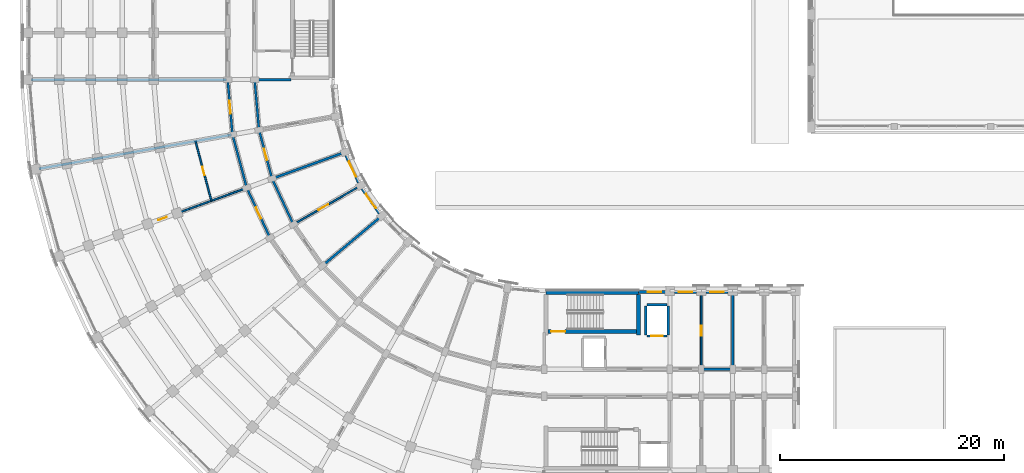
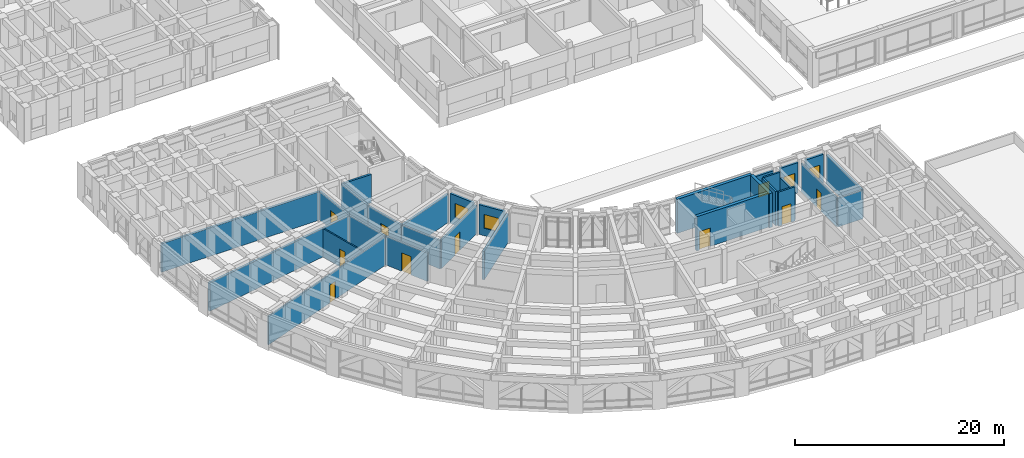
# One storey, part 59 of 97: 29 walls, 9 doors, 5 windows, 14 openings.
"""IFC4 building model written with IfcOpenShell, lengths in metres."""

import ifcopenshell
import ifcopenshell.guid

model = None  # the IFC model being written
_history = None  # IfcOwnerHistory: only IFC2X3 demands one
_inside = {}  # id of a spatial element -> (the spatial element, [elements in it])
_under = {}  # id of a project, library or spatial element -> (it, [spatial elements below it])
_declared = {}  # id of a project -> (the project, [libraries it declares])
_typed = {}  # id of a type object -> (the type object, [elements of that type])
_made_of = {}  # id of a material, layer set ... -> (it, [elements and type objects made of it])


def new_model(schema):
    """Start an empty IFC model of exactly this schema.

    Asked for "IFC4X3", IfcOpenShell would pick the latest addendum, in which some entities
    have other attributes; the version numbers below select the first issue.
    IFC2X3 requires an IfcOwnerHistory on every rooted entity: one is made here for all.
    """
    global model, _history
    if schema == "IFC4X3":
        model = ifcopenshell.file(schema_version=(4, 3, 0, 0))
    else:
        model = ifcopenshell.file(schema=schema)
    _inside.clear()
    _under.clear()
    _declared.clear()
    _typed.clear()
    _made_of.clear()
    _history = None
    if model.schema == "IFC2X3":
        org = make("IfcOrganization", Name="unknown")
        user = make(
            "IfcPersonAndOrganization",
            ThePerson=make("IfcPerson", FamilyName="unknown"),
            TheOrganization=org,
        )
        app = make(
            "IfcApplication",
            ApplicationDeveloper=org,
            Version="unknown",
            ApplicationFullName="unknown",
            ApplicationIdentifier="unknown",
        )
        _history = make(
            "IfcOwnerHistory",
            OwningUser=user,
            OwningApplication=app,
            ChangeAction="ADDED",
            CreationDate=0,
        )
    return model


def make(cls, **values):
    """One entity of the class cls with the attributes given. An attribute that is None is left unset."""
    return model.create_entity(
        cls, **{name: value for name, value in values.items() if value is not None}
    )


def rooted(cls, **values):
    """An entity with a GlobalId (a new one), such as an element, a storey or a relation."""
    return make(cls, GlobalId=ifcopenshell.guid.new(), OwnerHistory=_history, **values)


def si_unit(unit_type, name, prefix=None):
    """IfcSIUnit, for example si_unit("LENGTHUNIT", "METRE", prefix="MILLI")."""
    return make("IfcSIUnit", UnitType=unit_type, Prefix=prefix, Name=name)


def assignment(units):
    """IfcUnitAssignment: the units of a project."""
    return None if units is None else make("IfcUnitAssignment", Units=units)


def point(xyz):
    """IfcCartesianPoint."""
    return None if xyz is None else make("IfcCartesianPoint", Coordinates=xyz)


def direction(xyz):
    """IfcDirection."""
    return None if xyz is None else make("IfcDirection", DirectionRatios=xyz)


def frame(location, z_axis=None, x_axis=None):
    """IfcAxis2Placement3D, a coordinate frame: its origin and axes. An axis left out is left unset."""
    return make(
        "IfcAxis2Placement3D",
        Location=point(location),
        Axis=direction(z_axis),
        RefDirection=direction(x_axis),
    )


def frame_2d(location, x_axis=None):
    """IfcAxis2Placement2D, a coordinate frame in the plane: its origin and x axis."""
    return make(
        "IfcAxis2Placement2D", Location=point(location), RefDirection=direction(x_axis)
    )


def origin():
    """The frame at (0, 0, 0) with its axes left unset."""
    return frame((0.0, 0.0, 0.0))


def place(relative_to, where):
    """IfcLocalPlacement: puts the frame where relative to a parent placement (None: the world)."""
    return make(
        "IfcLocalPlacement", PlacementRelTo=relative_to, RelativePlacement=where
    )


def context(
    kind, dimensions, precision=None, world=None, true_north=None, identifier=None
):
    """IfcGeometricRepresentationContext, for example the 3D "Model" context."""
    return make(
        "IfcGeometricRepresentationContext",
        ContextIdentifier=identifier,
        ContextType=kind,
        CoordinateSpaceDimension=dimensions,
        Precision=precision,
        WorldCoordinateSystem=world,
        TrueNorth=true_north,
    )


def subcontext(parent, identifier, kind, view, scale=None):
    """IfcGeometricRepresentationSubContext, for example "Body" below "Model"."""
    return make(
        "IfcGeometricRepresentationSubContext",
        ContextIdentifier=identifier,
        ContextType=kind,
        ParentContext=parent,
        TargetScale=scale,
        TargetView=view,
    )


def project(units=None, contexts=None):
    """IfcProject with its units and contexts."""
    return rooted(
        "IfcProject",
        Name="project",
        RepresentationContexts=contexts,
        UnitsInContext=assignment(units),
    )


def spatial(cls, under=None, at=None, **own):
    """A site, building, storey or space (cls), placed at a placement, below another one or the project."""
    s = rooted(cls, ObjectPlacement=at, **own)
    if under is not None:
        _under.setdefault(under.id(), (under, []))[1].append(s)
    return s


def profile(cls, at=None, kind="AREA", **sizes):
    """A parametric profile (cls). Its sizes go by their IFC names, for example OverallWidth=200.0."""
    return make(cls, ProfileType=kind, Position=at, **sizes)


def rectangle(**sizes):
    """IfcRectangleProfileDef."""
    return profile("IfcRectangleProfileDef", **sizes)


def extrude(swept, where, along, depth):
    """IfcExtrudedAreaSolid: the profile swept, set in the frame where, extruded along a direction by depth."""
    return make(
        "IfcExtrudedAreaSolid",
        SweptArea=swept,
        Position=where,
        ExtrudedDirection=direction(along),
        Depth=depth,
    )


def shape(context_of_items, identifier, shape_type, items):
    """IfcShapeRepresentation: the items that make up one representation, for example the "Body"."""
    return make(
        "IfcShapeRepresentation",
        ContextOfItems=context_of_items,
        RepresentationIdentifier=identifier,
        RepresentationType=shape_type,
        Items=items,
    )


def material(Name=None, Category=None):
    """IfcMaterial."""
    return make("IfcMaterial", Name=Name, Category=Category)


def layer(
    of_material, thickness, ventilated=None, Name=None, Category=None, Priority=None
):
    """IfcMaterialLayer: one layer of a wall or slab, of a material (None: an air gap)."""
    return make(
        "IfcMaterialLayer",
        Material=of_material,
        LayerThickness=thickness,
        IsVentilated=ventilated,
        Name=Name,
        Category=Category,
        Priority=Priority,
    )


def layer_set(layers, Name=None):
    """IfcMaterialLayerSet."""
    return make("IfcMaterialLayerSet", MaterialLayers=layers, LayerSetName=Name)


def made_of(thing, what):
    """Note that an element or type object is made of a material, layer set ...; save() writes the relation."""
    if what is not None:
        _made_of.setdefault(what.id(), (what, []))[1].append(thing)
    return thing


def type_object(cls, material=None, **own):
    """A type object (cls), such as IfcWallType, which elements share."""
    return made_of(rooted(cls, **own), material)


def element(
    cls,
    number,
    at=None,
    inside=None,
    cuts=None,
    type_object=None,
    material=None,
    context=None,
    identifier="Body",
    shape_type=None,
    held_by="IfcProductDefinitionShape",
    body=None,
    shapes=None,
    **own,
):
    """One element of the class cls, such as IfcWall. Its Tag is "e" and its number.

    at: its placement. inside: the storey or other place that contains it. cuts: it is an
    opening in that element (IfcRelVoidsElement). A single representation is given by context,
    identifier, shape_type and body (its items); several are given by shapes. held_by: the class
    of the entity that holds the representations. save() writes the other relations.
    """
    e = rooted(cls, Tag="e%d" % number, ObjectPlacement=at, **own)
    if body is not None:
        shapes = [shape(context, identifier, shape_type, body)]
    if shapes is not None:
        e.Representation = make(held_by, Representations=shapes)
    if inside is not None:
        _inside.setdefault(inside.id(), (inside, []))[1].append(e)
    if cuts is not None:
        rooted(
            "IfcRelVoidsElement", RelatingBuildingElement=cuts, RelatedOpeningElement=e
        )
    if type_object is not None:
        _typed.setdefault(type_object.id(), (type_object, []))[1].append(e)
    return made_of(e, material)


def fill(opening, filler):
    """IfcRelFillsElement: the door or window that sits in an opening."""
    return rooted(
        "IfcRelFillsElement",
        RelatingOpeningElement=opening,
        RelatedBuildingElement=filler,
    )


def aggregate(whole, parts):
    """IfcRelAggregates: a whole, such as a stair, and the parts it consists of."""
    return rooted("IfcRelAggregates", RelatingObject=whole, RelatedObjects=parts)


def save(model, path):
    """Write the relations noted so far, then the file.

    IfcRelAggregates (storeys below a building ...), IfcRelContainedInSpatialStructure (elements
    in a storey), IfcRelDefinesByType, IfcRelAssociatesMaterial and IfcRelDeclares: one each for
    every whole, place, type object, material and project.
    """
    for whole, parts in _under.values():
        aggregate(whole, parts)
    for where, things in _inside.values():
        rooted(
            "IfcRelContainedInSpatialStructure",
            RelatedElements=things,
            RelatingStructure=where,
        )
    for kind, things in _typed.values():
        rooted("IfcRelDefinesByType", RelatedObjects=things, RelatingType=kind)
    for what, things in _made_of.values():
        rooted("IfcRelAssociatesMaterial", RelatedObjects=things, RelatingMaterial=what)
    for by, libraries in _declared.values():
        rooted("IfcRelDeclares", RelatingContext=by, RelatedDefinitions=libraries)
    model.write(path)


model = new_model("IFC4")

# Units and contexts
model_context = context("Model", 3, precision=1e-05, world=origin(), true_north=direction((0.0, 1.0)))
body_context = subcontext(model_context, "Body", "Model", "MODEL_VIEW")
ifc_project = project(units=[si_unit("LENGTHUNIT", "METRE"), si_unit("AREAUNIT", "SQUARE_METRE"), si_unit("VOLUMEUNIT", "CUBIC_METRE"), si_unit("PLANEANGLEUNIT", "RADIAN"), si_unit("MASSUNIT", "GRAM", prefix="KILO")], contexts=[model_context])

# Site, building, storey
site_placement = place(None, origin())
site = spatial("IfcSite", under=ifc_project, at=site_placement, CompositionType="ELEMENT")
building_placement = place(site_placement, origin())
building = spatial("IfcBuilding", under=site, at=building_placement, Name="Kiranvali Square Residences", CompositionType="ELEMENT")
storey_placement = place(building_placement, frame((0.0, 0.0, 4.5)))
storey = spatial("IfcBuildingStorey", under=building, at=storey_placement, Name="L01", CompositionType="ELEMENT", Elevation=4.5)

# Walls
ifc_material_1 = material(Name="Autoclaved aerated concrete blockwork masonry", Category="masonry")
ifc_layer_1 = layer(ifc_material_1, 0.199951171875)
ifc_layer_set_1 = layer_set([ifc_layer_1], Name="Autoclaved aerated concrete blockwork masonry")
wall_type_1 = type_object("IfcWallType", Name="WL-COR-200", PredefinedType="STANDARD", material=ifc_layer_set_1)
wall_1_placement = place(storey_placement, frame((62.199951171875, 22.39990234375, 0.0), z_axis=(0.0, 0.0, 1.0), x_axis=(1.0, 0.0, 0.0)))
element("IfcWall", 1, at=wall_1_placement, inside=storey, type_object=wall_type_1, Name="L01 architectural wall WL-L01-C-A1CI-1", PredefinedType="STANDARD", context=body_context, shape_type="SweptSolid", body=[
    extrude(rectangle(XDim=2.800048828125, YDim=0.199951171875, at=frame_2d((1.39990234375, 0.0))), origin(), (0.0, 0.0, 1.0), 3.322021484375),
])
wall_2_placement = place(storey_placement, frame((25.8564453125, 35.300048828125, 0.0), z_axis=(0.0, 0.0, 1.0), x_axis=(-0.422617978463, 0.906307919131, 0.0)))
element("IfcWall", 2, at=wall_2_placement, inside=storey, type_object=wall_type_1, Name="L01 architectural wall WL-L01-C-CCI-6", PredefinedType="STANDARD", context=body_context, shape_type="SweptSolid", body=[
    extrude(rectangle(XDim=4.497314453125, YDim=0.199951171875, at=frame_2d((2.24853515625, 0.0))), origin(), (0.0, 0.0, 1.0), 3.322021484375),
])

# Wall, opening, door
wall_3_placement = place(storey_placement, frame((23.778076171875, 34.10009765625, 0.0), z_axis=(0.0, 0.0, 1.0), x_axis=(-0.422629854778, 0.906302381024, 0.0)))
wall_3 = element("IfcWall", 3, at=wall_3_placement, inside=storey, type_object=wall_type_1, Name="L01 architectural wall WL-L01-C-CCO-6", PredefinedType="STANDARD", context=body_context, shape_type="SweptSolid", body=[
    extrude(rectangle(XDim=4.915283203125, YDim=0.199951171875, at=frame_2d((2.45751953125, 0.0))), origin(), (0.0, 0.0, 1.0), 3.322021484375),
])
opening_1_placement = place(wall_3_placement, frame((1.917724609375, 0.0, 0.0)))
opening_1 = element("IfcOpeningElement", 4, at=opening_1_placement, cuts=wall_3, Name="Opening FD-APT-60C", PredefinedType="OPENING", context=body_context, shape_type="SweptSolid", body=[
    extrude(rectangle(XDim=1.080078125, YDim=2.14990234375, at=frame_2d((0.5400390625, 1.074951171875))), frame((0.0, 0.10986328125, 0.0), z_axis=(0.0, -1.0, 0.0), x_axis=(1.0, 0.0, 0.0)), (0.0, 0.0, 1.0), 0.219970703125),
])
ifc_material_2 = material(Name="Fire-rated acoustic hardwood and mineral-core door assembly", Category="wood")
door_type_1 = type_object("IfcDoorType", Name="DR-APT-1080", OperationType="NOTDEFINED", PredefinedType="DOOR", material=ifc_material_2)
door_1_placement = place(opening_1_placement, frame((1.080078125, 0.0, 0.0), z_axis=(0.0, 0.0, 1.0), x_axis=(-1.0, 0.0, 0.0)))
door_1 = element("IfcDoor", 5, at=door_1_placement, inside=storey, type_object=door_type_1, Name="L01 door DR-L01-1828 (DR-APT-1080)", OperationType="SINGLE_SWING_RIGHT", OverallHeight=2.14990234375, OverallWidth=1.080078125, PredefinedType="DOOR", context=body_context, shape_type="SweptSolid", body=[
    extrude(rectangle(XDim=1.080078125, YDim=2.14990234375, at=frame_2d((0.5400390625, 1.074951171875))), frame((0.0, 0.02490234375, 0.0), z_axis=(0.0, -1.0, 0.0), x_axis=(1.0, 0.0, 0.0)), (0.0, 0.0, 1.0), 0.050048828125),
])
fill(opening_1, door_1)

wall_4_placement = place(storey_placement, frame((23.955810546875, 39.3759765625, 0.0), z_axis=(0.0, 0.0, 1.0), x_axis=(-0.258787642463, 0.965934240054, 0.0)))
wall_4 = element("IfcWall", 6, at=wall_4_placement, inside=storey, type_object=wall_type_1, Name="L01 architectural wall WL-L01-C-CCI-7", PredefinedType="STANDARD", context=body_context, shape_type="SweptSolid", body=[
    extrude(rectangle(XDim=4.497314453125, YDim=0.199951171875, at=frame_2d((2.24853515625, 0.0))), origin(), (0.0, 0.0, 1.0), 3.322021484375),
])
opening_2_placement = place(wall_4_placement, frame((1.728515625, 0.0, 0.0)))
opening_2 = element("IfcOpeningElement", 7, at=opening_2_placement, cuts=wall_4, Name="Opening FD-APT-60B", PredefinedType="OPENING", context=body_context, shape_type="SweptSolid", body=[
    extrude(rectangle(XDim=1.0400390625, YDim=2.14990234375, at=frame_2d((0.52001953125, 1.074951171875))), frame((0.0, 0.10986328125, 0.0), z_axis=(0.0, -1.0, 0.0), x_axis=(1.0, 0.0, 0.0)), (0.0, 0.0, 1.0), 0.219970703125),
])
door_type_2 = type_object("IfcDoorType", Name="DR-APT-1040", OperationType="NOTDEFINED", PredefinedType="DOOR", material=ifc_material_2)
door_2_placement = place(opening_2_placement, frame((1.0400390625, 0.0, 0.0), z_axis=(0.0, 0.0, 1.0), x_axis=(-1.0, 0.0, 0.0)))
door_2 = element("IfcDoor", 8, at=door_2_placement, inside=storey, type_object=door_type_2, Name="L01 door DR-L01-1834 (DR-APT-1040)", OperationType="SINGLE_SWING_RIGHT", OverallHeight=2.14990234375, OverallWidth=1.0400390625, PredefinedType="DOOR", context=body_context, shape_type="SweptSolid", body=[
    extrude(rectangle(XDim=1.0400390625, YDim=2.14990234375, at=frame_2d((0.52001953125, 1.074951171875))), frame((0.0, 0.02490234375, 0.0), z_axis=(0.0, -1.0, 0.0), x_axis=(1.0, 0.0, 0.0)), (0.0, 0.0, 1.0), 0.050048828125),
])
fill(opening_2, door_2)

# Walls
wall_5_placement = place(storey_placement, frame((21.70068359375, 38.554931640625, 0.0), z_axis=(0.0, 0.0, 1.0), x_axis=(-0.258803112091, 0.965930095386, 0.0)))
element("IfcWall", 9, at=wall_5_placement, inside=storey, type_object=wall_type_1, Name="L01 architectural wall WL-L01-C-CCO-7", PredefinedType="STANDARD", context=body_context, shape_type="SweptSolid", body=[
    extrude(rectangle(XDim=4.915771484375, YDim=0.199951171875, at=frame_2d((2.4580078125, 0.0))), origin(), (0.0, 0.0, 1.0), 3.322021484375),
])
wall_6_placement = place(storey_placement, frame((22.7919921875, 43.719970703125, 0.0), z_axis=(0.0, 0.0, 1.0), x_axis=(-0.087187153726, 0.996191949488, 0.0)))
element("IfcWall", 10, at=wall_6_placement, inside=storey, type_object=wall_type_1, Name="L01 architectural wall WL-L01-C-CCI-8", PredefinedType="STANDARD", context=body_context, shape_type="SweptSolid", body=[
    extrude(rectangle(XDim=4.4970703125, YDim=0.199951171875, at=frame_2d((2.24853515625, 0.0))), origin(), (0.0, 0.0, 1.0), 3.322021484375),
])

# Wall, opening, door
wall_7_placement = place(storey_placement, frame((20.428466796875, 43.30322265625, 0.0), z_axis=(0.0, 0.0, 1.0), x_axis=(-0.087167566415, 0.996193663584, 0.0)))
wall_7 = element("IfcWall", 11, at=wall_7_placement, inside=storey, type_object=wall_type_1, Name="L01 architectural wall WL-L01-C-CCO-8", PredefinedType="STANDARD", context=body_context, shape_type="SweptSolid", body=[
    extrude(rectangle(XDim=4.91552734375, YDim=0.199951171875, at=frame_2d((2.457763671875, 0.0))), origin(), (0.0, 0.0, 1.0), 3.322021484375),
])
opening_3_placement = place(wall_7_placement, frame((1.8876953125, 0.0, 0.0)))
opening_3 = element("IfcOpeningElement", 12, at=opening_3_placement, cuts=wall_7, Name="Opening FD-APT-60D", PredefinedType="OPENING", context=body_context, shape_type="SweptSolid", body=[
    extrude(rectangle(XDim=1.139892578125, YDim=2.14990234375, at=frame_2d((0.56982421875, 1.074951171875))), frame((0.0, 0.10986328125, 0.0), z_axis=(0.0, -1.0, 0.0), x_axis=(1.0, 0.0, 0.0)), (0.0, 0.0, 1.0), 0.219970703125),
])
door_type_3 = type_object("IfcDoorType", Name="DR-APT-1140", OperationType="NOTDEFINED", PredefinedType="DOOR", material=ifc_material_2)
door_3_placement = place(opening_3_placement, frame((1.139892578125, 0.0, 0.0), z_axis=(0.0, 0.0, 1.0), x_axis=(-1.0, 0.0, 0.0)))
door_3 = element("IfcDoor", 13, at=door_3_placement, inside=storey, type_object=door_type_3, Name="L01 door DR-L01-1830 (DR-APT-1140)", OperationType="SINGLE_SWING_RIGHT", OverallHeight=2.14990234375, OverallWidth=1.139892578125, PredefinedType="DOOR", context=body_context, shape_type="SweptSolid", body=[
    extrude(rectangle(XDim=1.139892578125, YDim=2.14990234375, at=frame_2d((0.56982421875, 1.074951171875))), frame((0.0, 0.02490234375, 0.0), z_axis=(0.0, -1.0, 0.0), x_axis=(1.0, 0.0, 0.0)), (0.0, 0.0, 1.0), 0.050048828125),
])
fill(opening_3, door_3)

# Walls
ifc_layer_2 = layer(ifc_material_1, 0.219970703125)
ifc_layer_set_2 = layer_set([ifc_layer_2], Name="Autoclaved aerated concrete blockwork masonry")
wall_type_2 = type_object("IfcWallType", Name="WL-DEM-220", PredefinedType="STANDARD", material=ifc_layer_set_2)
for number, where, z_axis, x_axis, name in (
    (14, (65.0, 29.199951171875, 0.0), (0.0, 0.0, 1.0), (0.0, -1.0, 0.0), "L01 architectural wall WL-L01-C-A1TI-2"),
    (15, (33.645263671875, 35.987060546875, 0.0), (0.0, 0.0, 1.0), (-0.766046761698, -0.642784846501, 0.0), "L01 architectural wall WL-L01-C-RADI-5"),
    (16, (30.345947265625, 41.70166015625, 0.0), (0.0, 0.0, 1.0), (-0.939696231917, -0.342010221662, 0.0), "L01 architectural wall WL-L01-C-RADI-7"),
):
    element("IfcWall", number, at=place(storey_placement, frame(where, z_axis=z_axis, x_axis=x_axis)), inside=storey, type_object=wall_type_2, Name=name, PredefinedType="STANDARD", context=body_context, shape_type="SweptSolid", body=[
        extrude(rectangle(XDim=6.75, YDim=0.219970703125, at=frame_2d((3.375, 0.0))), origin(), (0.0, 0.0, 1.0), 3.322021484375),
    ])
wall_8_placement = place(storey_placement, frame((25.64990234375, 48.199951171875, 0.0), z_axis=(0.0, 0.0, 1.0), x_axis=(-1.0, 0.0, 0.0)))
element("IfcWall", 17, at=wall_8_placement, inside=storey, type_object=wall_type_2, Name="L01 architectural wall WL-L01-C-RADI-9", PredefinedType="STANDARD", context=body_context, shape_type="SweptSolid", body=[
    extrude(rectangle(XDim=3.199951171875, YDim=0.219970703125, at=frame_2d((1.60009765625, 0.0))), origin(), (0.0, 0.0, 1.0), 3.322021484375),
])
ifc_layer_3 = layer(ifc_material_1, 0.22998046875)
ifc_layer_set_3 = layer_set([ifc_layer_3], Name="Autoclaved aerated concrete blockwork masonry")
wall_type_3 = type_object("IfcWallType", Name="WL-DEM-230", PredefinedType="STANDARD", material=ifc_layer_set_3)
for number, where, z_axis, x_axis, name in (
    (18, (20.329833984375, 43.28564453125, 0.0), (0.0, 0.0, 1.0), (-0.984808098809, -0.173646216546, 0.0), "L01 architectural wall WL-L01-C-RADO-8"),
    (19, (19.89990234375, 48.199951171875, 0.0), (0.0, 0.0, 1.0), (-1.0, 0.0, 0.0), "L01 architectural wall WL-L01-C-RADO-9"),
):
    element("IfcWall", number, at=place(storey_placement, frame(where, z_axis=z_axis, x_axis=x_axis)), inside=storey, type_object=wall_type_3, Name=name, PredefinedType="STANDARD", context=body_context, shape_type="SweptSolid", body=[
        extrude(rectangle(XDim=17.419921875, YDim=0.22998046875, at=frame_2d((8.7099609375, 0.0))), origin(), (0.0, 0.0, 1.0), 3.322021484375),
    ])

# Wall, opening, window
ifc_material_3 = material(Name="Breathable lime-rendered clay brick masonry", Category="masonry")
ifc_layer_4 = layer(ifc_material_3, 0.25)
ifc_layer_set_4 = layer_set([ifc_layer_4], Name="Breathable lime-rendered clay brick masonry")
wall_type_4 = type_object("IfcWallType", Name="WL-EXT-250", PredefinedType="STANDARD", material=ifc_layer_set_4)
wall_9_placement = place(storey_placement, frame((33.521728515625, 36.292724609375, 0.0), z_axis=(0.0, 0.0, 1.0), x_axis=(-0.573591230309, 0.819141685249, 0.0)))
wall_9 = element("IfcWall", 20, at=wall_9_placement, inside=storey, type_object=wall_type_4, Name="L01 exterior wall C-L01-GDN-05", PredefinedType="STANDARD", context=body_context, shape_type="SweptSolid", body=[
    extrude(rectangle(XDim=2.669677734375, YDim=0.25, at=frame_2d((1.3349609375, 0.0))), origin(), (0.0, 0.0, 1.0), 3.471923828125),
])
opening_4_placement = place(wall_9_placement, frame((0.559814453125, 0.0, 0.8798828125)))
opening_4 = element("IfcOpeningElement", 21, at=opening_4_placement, cuts=wall_9, Name="Opening W-18", PredefinedType="OPENING", context=body_context, shape_type="SweptSolid", body=[
    extrude(rectangle(XDim=1.550048828125, YDim=1.60009765625, at=frame_2d((0.77490234375, 0.800048828125))), frame((0.0, 0.135009765625, 0.0), z_axis=(0.0, -1.0, 0.0), x_axis=(1.0, 0.0, 0.0)), (0.0, 0.0, 1.0), 0.27001953125),
])
ifc_material_4 = material(Name="Solar-control low-e double glazing", Category="glass")
window_type_1 = type_object("IfcWindowType", Name="WIN-GDN-1550x1600", PartitioningType="DOUBLE_PANEL_VERTICAL", PredefinedType="WINDOW", material=ifc_material_4)
window_1_placement = place(opening_4_placement, origin())
window_1 = element("IfcWindow", 22, at=window_1_placement, inside=storey, type_object=window_type_1, Name="L01 recessed window C-L01-GDN-05", OverallHeight=1.60009765625, OverallWidth=1.550048828125, PartitioningType="DOUBLE_PANEL_VERTICAL", PredefinedType="WINDOW", context=body_context, shape_type="SweptSolid", body=[
    extrude(rectangle(XDim=1.550048828125, YDim=1.60009765625, at=frame_2d((0.77490234375, 0.800048828125))), frame((0.0, 0.030029296875, 0.0), z_axis=(0.0, -1.0, 0.0), x_axis=(1.0, 0.0, 0.0)), (0.0, 0.0, 1.0), 0.06005859375),
])
fill(opening_4, window_1)

wall_10_placement = place(storey_placement, frame((31.677001953125, 39.0224609375, 0.0), z_axis=(0.0, 0.0, 1.0), x_axis=(-0.422610081738, 0.90631160139, 0.0)))
wall_10 = element("IfcWall", 23, at=wall_10_placement, inside=storey, type_object=wall_type_4, Name="L01 exterior wall C-L01-GDN-06", PredefinedType="STANDARD", context=body_context, shape_type="SweptSolid", body=[
    extrude(rectangle(XDim=2.66943359375, YDim=0.25, at=frame_2d((1.334716796875, 0.0))), origin(), (0.0, 0.0, 1.0), 3.471923828125),
])
opening_5_placement = place(wall_10_placement, frame((0.584716796875, 0.0, 0.8798828125)))
opening_5 = element("IfcOpeningElement", 24, at=opening_5_placement, cuts=wall_10, Name="Opening W-05", PredefinedType="OPENING", context=body_context, shape_type="SweptSolid", body=[
    extrude(rectangle(XDim=1.5, YDim=1.64990234375, at=frame_2d((0.75, 0.824951171875))), frame((0.0, 0.135009765625, 0.0), z_axis=(0.0, -1.0, 0.0), x_axis=(1.0, 0.0, 0.0)), (0.0, 0.0, 1.0), 0.27001953125),
])
window_type_2 = type_object("IfcWindowType", Name="WIN-RES-1500x1650", PartitioningType="DOUBLE_PANEL_VERTICAL", PredefinedType="WINDOW", material=ifc_material_4)
window_2_placement = place(opening_5_placement, origin())
window_2 = element("IfcWindow", 25, at=window_2_placement, inside=storey, type_object=window_type_2, Name="L01 recessed window C-L01-GDN-06", OverallHeight=1.64990234375, OverallWidth=1.5, PartitioningType="DOUBLE_PANEL_VERTICAL", PredefinedType="WINDOW", context=body_context, shape_type="SweptSolid", body=[
    extrude(rectangle(XDim=1.5, YDim=1.64990234375, at=frame_2d((0.75, 0.824951171875))), frame((0.0, 0.030029296875, 0.0), z_axis=(0.0, -1.0, 0.0), x_axis=(1.0, 0.0, 0.0)), (0.0, 0.0, 1.0), 0.06005859375),
])
fill(opening_5, window_2)

wall_11_placement = place(storey_placement, frame((56.62841796875, 29.27490234375, 0.0), z_axis=(0.0, 0.0, 1.0), x_axis=(1.0, 0.0, 0.0)))
wall_11 = element("IfcWall", 26, at=wall_11_placement, inside=storey, type_object=wall_type_4, Name="L01 exterior wall C-L01-A1IN-0", PredefinedType="STANDARD", context=body_context, shape_type="SweptSolid", body=[
    extrude(rectangle(XDim=2.421630859375, YDim=0.25, at=frame_2d((1.2109375, 0.0))), origin(), (0.0, 0.0, 1.0), 3.52197265625),
])
opening_6_placement = place(wall_11_placement, frame((0.821533203125, 0.0, 0.8798828125)))
opening_6 = element("IfcOpeningElement", 27, at=opening_6_placement, cuts=wall_11, Name="Opening W-06", PredefinedType="OPENING", context=body_context, shape_type="SweptSolid", body=[
    extrude(rectangle(XDim=1.199951171875, YDim=1.5, at=frame_2d((0.60009765625, 0.75))), frame((0.0, 0.135009765625, 0.0), z_axis=(0.0, -1.0, 0.0), x_axis=(1.0, 0.0, 0.0)), (0.0, 0.0, 1.0), 0.27001953125),
])
window_type_3 = type_object("IfcWindowType", Name="WIN-RES-1200x1500", PartitioningType="SINGLE_PANEL", PredefinedType="WINDOW", material=ifc_material_4)
window_3_placement = place(opening_6_placement, origin())
window_3 = element("IfcWindow", 28, at=window_3_placement, inside=storey, type_object=window_type_3, Name="L01 recessed window C-L01-A1IN-0", OverallHeight=1.5, OverallWidth=1.199951171875, PartitioningType="SINGLE_PANEL", PredefinedType="WINDOW", context=body_context, shape_type="SweptSolid", body=[
    extrude(rectangle(XDim=1.199951171875, YDim=1.5, at=frame_2d((0.60009765625, 0.75))), frame((0.0, 0.030029296875, 0.0), z_axis=(0.0, -1.0, 0.0), x_axis=(1.0, 0.0, 0.0)), (0.0, 0.0, 1.0), 0.06005859375),
])
fill(opening_6, window_3)

wall_12_placement = place(storey_placement, frame((59.820068359375, 29.27490234375, 0.0), z_axis=(0.0, 0.0, 1.0), x_axis=(1.0, 0.0, 0.0)))
wall_12 = element("IfcWall", 29, at=wall_12_placement, inside=storey, type_object=wall_type_4, Name="L01 exterior wall C-L01-A1I-0", PredefinedType="STANDARD", context=body_context, shape_type="SweptSolid", body=[
    extrude(rectangle(XDim=1.9599609375, YDim=0.25, at=frame_2d((0.97998046875, 0.0))), origin(), (0.0, 0.0, 1.0), 3.52197265625),
])
opening_7_placement = place(wall_12_placement, frame((0.3798828125, 0.0, 0.8798828125)))
opening_7 = element("IfcOpeningElement", 30, at=opening_7_placement, cuts=wall_12, Name="Opening W-06", PredefinedType="OPENING", context=body_context, shape_type="SweptSolid", body=[
    extrude(rectangle(XDim=1.199951171875, YDim=1.5, at=frame_2d((0.60009765625, 0.75))), frame((0.0, 0.135009765625, 0.0), z_axis=(0.0, -1.0, 0.0), x_axis=(1.0, 0.0, 0.0)), (0.0, 0.0, 1.0), 0.27001953125),
])
window_4_placement = place(opening_7_placement, origin())
window_4 = element("IfcWindow", 31, at=window_4_placement, inside=storey, type_object=window_type_3, Name="L01 recessed window C-L01-A1I-0", OverallHeight=1.5, OverallWidth=1.199951171875, PartitioningType="SINGLE_PANEL", PredefinedType="WINDOW", context=body_context, shape_type="SweptSolid", body=[
    extrude(rectangle(XDim=1.199951171875, YDim=1.5, at=frame_2d((0.60009765625, 0.75))), frame((0.0, 0.030029296875, 0.0), z_axis=(0.0, -1.0, 0.0), x_axis=(1.0, 0.0, 0.0)), (0.0, 0.0, 1.0), 0.06005859375),
])
fill(opening_7, window_4)

wall_13_placement = place(storey_placement, frame((62.6201171875, 29.27490234375, 0.0), z_axis=(0.0, 0.0, 1.0), x_axis=(1.0, 0.0, 0.0)))
wall_13 = element("IfcWall", 32, at=wall_13_placement, inside=storey, type_object=wall_type_4, Name="L01 exterior wall C-L01-A1I-1", PredefinedType="STANDARD", context=body_context, shape_type="SweptSolid", body=[
    extrude(rectangle(XDim=1.9599609375, YDim=0.25, at=frame_2d((0.97998046875, 0.0))), origin(), (0.0, 0.0, 1.0), 3.52197265625),
])
opening_8_placement = place(wall_13_placement, frame((0.3798828125, 0.0, 0.8798828125)))
opening_8 = element("IfcOpeningElement", 33, at=opening_8_placement, cuts=wall_13, Name="Opening W-06", PredefinedType="OPENING", context=body_context, shape_type="SweptSolid", body=[
    extrude(rectangle(XDim=1.199951171875, YDim=1.5, at=frame_2d((0.60009765625, 0.75))), frame((0.0, 0.135009765625, 0.0), z_axis=(0.0, -1.0, 0.0), x_axis=(1.0, 0.0, 0.0)), (0.0, 0.0, 1.0), 0.27001953125),
])
window_5_placement = place(opening_8_placement, origin())
window_5 = element("IfcWindow", 34, at=window_5_placement, inside=storey, type_object=window_type_3, Name="L01 recessed window C-L01-A1I-1", OverallHeight=1.5, OverallWidth=1.199951171875, PartitioningType="SINGLE_PANEL", PredefinedType="WINDOW", context=body_context, shape_type="SweptSolid", body=[
    extrude(rectangle(XDim=1.199951171875, YDim=1.5, at=frame_2d((0.60009765625, 0.75))), frame((0.0, 0.030029296875, 0.0), z_axis=(0.0, -1.0, 0.0), x_axis=(1.0, 0.0, 0.0)), (0.0, 0.0, 1.0), 0.06005859375),
])
fill(opening_8, window_5)

# Wall, opening, door
ifc_material_5 = material(Name="Acoustic gypsum board drylined partition", Category="gypsum")
ifc_layer_5 = layer(ifc_material_5, 0.14990234375)
ifc_layer_set_5 = layer_set([ifc_layer_5], Name="Acoustic gypsum board drylined partition")
wall_type_5 = type_object("IfcWallType", Name="WL-PRT-150", PredefinedType="PARTITIONING", material=ifc_layer_set_5)
wall_14_placement = place(storey_placement, frame((62.199951171875, 29.199951171875, 0.0), z_axis=(0.0, 0.0, 1.0), x_axis=(0.0, -1.0, 0.0)))
wall_14 = element("IfcWall", 35, at=wall_14_placement, inside=storey, type_object=wall_type_5, Name="L01 architectural wall WL-L01-C-A1TI-1", PredefinedType="PARTITIONING", context=body_context, shape_type="SweptSolid", body=[
    extrude(rectangle(XDim=6.75, YDim=0.14990234375, at=frame_2d((3.375, 0.0))), origin(), (0.0, 0.0, 1.0), 3.322021484375),
])
opening_9_placement = place(wall_14_placement, frame((2.925048828125, 0.0, 0.0)))
opening_9 = element("IfcOpeningElement", 36, at=opening_9_placement, cuts=wall_14, Name="Opening ID-1", PredefinedType="OPENING", context=body_context, shape_type="SweptSolid", body=[
    extrude(rectangle(XDim=0.89990234375, YDim=2.10009765625, at=frame_2d((0.449951171875, 1.050048828125))), frame((0.0, 0.0849609375, 0.0), z_axis=(0.0, -1.0, 0.0), x_axis=(1.0, 0.0, 0.0)), (0.0, 0.0, 1.0), 0.169921875),
])
ifc_material_6 = material(Name="Solid seasoned teak hardwood joinery", Category="wood")
door_type_4 = type_object("IfcDoorType", Name="DR-INT-900", OperationType="NOTDEFINED", PredefinedType="DOOR", material=ifc_material_6)
door_4_placement = place(opening_9_placement, frame((0.89990234375, 0.0, 0.0), z_axis=(0.0, 0.0, 1.0), x_axis=(-1.0, 0.0, 0.0)))
door_4 = element("IfcDoor", 37, at=door_4_placement, inside=storey, type_object=door_type_4, Name="L01 door DR-L01-1808 (DR-INT-900)", OperationType="SINGLE_SWING_RIGHT", OverallHeight=2.10009765625, OverallWidth=0.89990234375, PredefinedType="DOOR", context=body_context, shape_type="SweptSolid", body=[
    extrude(rectangle(XDim=0.89990234375, YDim=2.10009765625, at=frame_2d((0.449951171875, 1.050048828125))), frame((0.0, 0.02490234375, 0.0), z_axis=(0.0, -1.0, 0.0), x_axis=(1.0, 0.0, 0.0)), (0.0, 0.0, 1.0), 0.050048828125),
])
fill(opening_9, door_4)

wall_15_placement = place(storey_placement, frame((31.74560546875, 38.699951171875, 0.0), z_axis=(0.0, 0.0, 1.0), x_axis=(-0.866026575979, -0.499997969693, 0.0)))
wall_15 = element("IfcWall", 38, at=wall_15_placement, inside=storey, type_object=wall_type_5, Name="L01 architectural wall WL-L01-C-RADI-6", PredefinedType="PARTITIONING", context=body_context, shape_type="SweptSolid", body=[
    extrude(rectangle(XDim=6.75, YDim=0.14990234375, at=frame_2d((3.375, 0.0))), origin(), (0.0, 0.0, 1.0), 3.322021484375),
])
opening_10_placement = place(wall_15_placement, frame((3.222412109375, 0.0, 0.0)))
opening_10 = element("IfcOpeningElement", 39, at=opening_10_placement, cuts=wall_15, Name="Opening ID-3", PredefinedType="OPENING", context=body_context, shape_type="SweptSolid", body=[
    extrude(rectangle(XDim=0.97998046875, YDim=2.1201171875, at=frame_2d((0.489990234375, 1.06005859375))), frame((0.0, 0.0849609375, 0.0), z_axis=(0.0, -1.0, 0.0), x_axis=(1.0, 0.0, 0.0)), (0.0, 0.0, 1.0), 0.169921875),
])
door_type_5 = type_object("IfcDoorType", Name="DR-INT-980", OperationType="NOTDEFINED", PredefinedType="DOOR", material=ifc_material_6)
door_5_placement = place(opening_10_placement, origin())
door_5 = element("IfcDoor", 40, at=door_5_placement, inside=storey, type_object=door_type_5, Name="L01 door DR-L01-1821 (DR-INT-980)", OperationType="SINGLE_SWING_LEFT", OverallHeight=2.1201171875, OverallWidth=0.97998046875, PredefinedType="DOOR", context=body_context, shape_type="SweptSolid", body=[
    extrude(rectangle(XDim=0.97998046875, YDim=2.1201171875, at=frame_2d((0.489990234375, 1.06005859375))), frame((0.0, 0.02490234375, 0.0), z_axis=(0.0, -1.0, 0.0), x_axis=(1.0, 0.0, 0.0)), (0.0, 0.0, 1.0), 0.050048828125),
])
fill(opening_10, door_5)

wall_16_placement = place(storey_placement, frame((21.606689453125, 38.520751953125, 0.0), z_axis=(0.0, 0.0, 1.0), x_axis=(-0.939691901159, -0.342022120477, 0.0)))
wall_16 = element("IfcWall", 41, at=wall_16_placement, inside=storey, type_object=wall_type_5, Name="L01 architectural wall WL-L01-C-RADO-7", PredefinedType="PARTITIONING", context=body_context, shape_type="SweptSolid", body=[
    extrude(rectangle(XDim=17.419921875, YDim=0.14990234375, at=frame_2d((8.7099609375, 0.0))), origin(), (0.0, 0.0, 1.0), 3.322021484375),
])
opening_11_placement = place(wall_16_placement, frame((7.5, 0.0, 0.0)))
opening_11 = element("IfcOpeningElement", 42, at=opening_11_placement, cuts=wall_16, Name="Opening ID-WET", PredefinedType="OPENING", context=body_context, shape_type="SweptSolid", body=[
    extrude(rectangle(XDim=0.800048828125, YDim=2.10009765625, at=frame_2d((0.39990234375, 1.050048828125))), frame((0.0, 0.0849609375, 0.0), z_axis=(0.0, -1.0, 0.0), x_axis=(1.0, 0.0, 0.0)), (0.0, 0.0, 1.0), 0.169921875),
])
door_type_6 = type_object("IfcDoorType", Name="DR-WET-800", OperationType="NOTDEFINED", PredefinedType="DOOR", material=ifc_material_6)
door_6_placement = place(opening_11_placement, frame((0.800048828125, 0.0, 0.0), z_axis=(0.0, 0.0, 1.0), x_axis=(-1.0, 0.0, 0.0)))
door_6 = element("IfcDoor", 43, at=door_6_placement, inside=storey, type_object=door_type_6, Name="L01 door DR-L01-1822 (DR-WET-800)", OperationType="SINGLE_SWING_RIGHT", OverallHeight=2.10009765625, OverallWidth=0.800048828125, PredefinedType="DOOR", context=body_context, shape_type="SweptSolid", body=[
    extrude(rectangle(XDim=0.800048828125, YDim=2.10009765625, at=frame_2d((0.39990234375, 1.050048828125))), frame((0.0, 0.02490234375, 0.0), z_axis=(0.0, -1.0, 0.0), x_axis=(1.0, 0.0, 0.0)), (0.0, 0.0, 1.0), 0.050048828125),
])
fill(opening_11, door_6)

# Walls
ifc_layer_6 = layer(ifc_material_1, 0.199951171875)
ifc_layer_set_6 = layer_set([ifc_layer_6], Name="Autoclaved aerated concrete blockwork masonry")
wall_type_6 = type_object("IfcWallType", Name="WL-SHF-200", PredefinedType="STANDARD", material=ifc_layer_set_6)
wall_17_placement = place(storey_placement, frame((57.25, 28.050048828125, 0.0), z_axis=(0.0, 0.0, 1.0), x_axis=(0.0, -1.0, 0.0)))
element("IfcWall", 44, at=wall_17_placement, inside=storey, type_object=wall_type_6, Name="L01 architectural wall WL-L01-C-LP1-S1", PredefinedType="STANDARD", context=body_context, shape_type="SweptSolid", body=[
    extrude(rectangle(XDim=2.60009765625, YDim=0.199951171875, at=frame_2d((1.300048828125, 0.0))), origin(), (0.0, 0.0, 1.0), 3.97998046875),
])
wall_18_placement = place(storey_placement, frame((59.25, 28.050048828125, 0.0), z_axis=(0.0, 0.0, 1.0), x_axis=(0.0, -1.0, 0.0)))
element("IfcWall", 45, at=wall_18_placement, inside=storey, type_object=wall_type_6, Name="L01 architectural wall WL-L01-C-LP1-B", PredefinedType="STANDARD", context=body_context, shape_type="SweptSolid", body=[
    extrude(rectangle(XDim=2.60009765625, YDim=0.199951171875, at=frame_2d((1.300048828125, 0.0))), origin(), (0.0, 0.0, 1.0), 3.322021484375),
])
wall_19_placement = place(storey_placement, frame((57.35009765625, 28.14990234375, 0.0), z_axis=(0.0, 0.0, 1.0), x_axis=(1.0, 0.0, 0.0)))
element("IfcWall", 46, at=wall_19_placement, inside=storey, type_object=wall_type_6, Name="L01 architectural wall WL-L01-C-LP1-S2", PredefinedType="STANDARD", context=body_context, shape_type="SweptSolid", body=[
    extrude(rectangle(XDim=1.7998046875, YDim=0.199951171875, at=frame_2d((0.89990234375, 0.0))), origin(), (0.0, 0.0, 1.0), 3.97998046875),
])

# Wall, opening, door
wall_20_placement = place(storey_placement, frame((57.35009765625, 25.35009765625, 0.0), z_axis=(0.0, 0.0, 1.0), x_axis=(1.0, 0.0, 0.0)))
wall_20 = element("IfcWall", 47, at=wall_20_placement, inside=storey, type_object=wall_type_6, Name="L01 architectural wall WL-L01-C-LP1-F", PredefinedType="STANDARD", context=body_context, shape_type="SweptSolid", body=[
    extrude(rectangle(XDim=1.7998046875, YDim=0.199951171875, at=frame_2d((0.89990234375, 0.0))), origin(), (0.0, 0.0, 1.0), 3.97998046875),
])
opening_12_placement = place(wall_20_placement, frame((0.389892578125, 0.0, 0.0)))
opening_12 = element("IfcOpeningElement", 48, at=opening_12_placement, cuts=wall_20, Name="Opening LD-PAX-100", PredefinedType="OPENING", context=body_context, shape_type="SweptSolid", body=[
    extrude(rectangle(XDim=1.02001953125, YDim=2.14990234375, at=frame_2d((0.510009765625, 1.074951171875))), frame((0.0, 0.10986328125, 0.0), z_axis=(0.0, -1.0, 0.0), x_axis=(1.0, 0.0, 0.0)), (0.0, 0.0, 1.0), 0.219970703125),
])
door_type_7 = type_object("IfcDoorType", Name="DR-LIFT-1000", OperationType="SLIDING_TO_RIGHT", PredefinedType="DOOR", material=ifc_material_2)
door_7_placement = place(opening_12_placement, origin())
door_7 = element("IfcDoor", 49, at=door_7_placement, inside=storey, type_object=door_type_7, Name="L01 door DR-L01-1793 (DR-LIFT-1000)", OperationType="SLIDING_TO_RIGHT", OverallHeight=2.14990234375, OverallWidth=1.02001953125, PredefinedType="DOOR", context=body_context, shape_type="SweptSolid", body=[
    extrude(rectangle(XDim=1.02001953125, YDim=2.14990234375, at=frame_2d((0.510009765625, 1.074951171875))), frame((0.0, 0.02490234375, 0.0), z_axis=(0.0, -1.0, 0.0), x_axis=(1.0, 0.0, 0.0)), (0.0, 0.0, 1.0), 0.050048828125),
])
fill(opening_12, door_7)

# Wall
ifc_material_7 = material(Name="Concrete M50 (50 MPa)", Category="concrete")
ifc_layer_7 = layer(ifc_material_7, 0.35009765625)
ifc_layer_set_7 = layer_set([ifc_layer_7], Name="Concrete M50 (50 MPa)")
wall_type_7 = type_object("IfcWallType", Name="WL-SHR-350", PredefinedType="SHEAR", material=ifc_layer_set_7)
wall_21_placement = place(storey_placement, frame((48.375, 29.22509765625, 0.0), z_axis=(0.0, 0.0, 1.0), x_axis=(1.0, 0.0, 0.0)))
element("IfcWall", 50, at=wall_21_placement, inside=storey, type_object=wall_type_7, Name="Block C core shear wall SW-C2-OUT-L01", PredefinedType="SHEAR", context=body_context, shape_type="SweptSolid", body=[
    extrude(rectangle(XDim=8.25, YDim=0.35009765625, at=frame_2d((4.125, 0.0))), origin(), (0.0, 0.0, 1.0), 3.97998046875),
])

# Wall, opening, door
wall_22_placement = place(storey_placement, frame((48.550048828125, 25.77490234375, 0.0), z_axis=(0.0, 0.0, 1.0), x_axis=(1.0, 0.0, 0.0)))
wall_22 = element("IfcWall", 51, at=wall_22_placement, inside=storey, type_object=wall_type_7, Name="Block C core shear wall SW-C2-IN-L01", PredefinedType="SHEAR", context=body_context, shape_type="SweptSolid", body=[
    extrude(rectangle(XDim=7.89990234375, YDim=0.35009765625, at=frame_2d((3.949951171875, 0.0))), origin(), (0.0, 0.0, 1.0), 3.97998046875),
])
opening_13_placement = place(wall_22_placement, frame((0.280029296875, 0.0, 0.0)))
opening_13 = element("IfcOpeningElement", 52, at=opening_13_placement, cuts=wall_22, Name="Opening FD-ST-120", PredefinedType="OPENING", context=body_context, shape_type="SweptSolid", body=[
    extrude(rectangle(XDim=1.239990234375, YDim=2.14990234375, at=frame_2d((0.6201171875, 1.074951171875))), frame((0.0, 0.18505859375, 0.0), z_axis=(0.0, -1.0, 0.0), x_axis=(1.0, 0.0, 0.0)), (0.0, 0.0, 1.0), 0.3701171875),
])
door_type_8 = type_object("IfcDoorType", Name="DR-FD120-1200", OperationType="NOTDEFINED", PredefinedType="DOOR", material=ifc_material_2)
door_8_placement = place(opening_13_placement, origin())
door_8 = element("IfcDoor", 53, at=door_8_placement, inside=storey, type_object=door_type_8, Name="L01 door DR-L01-1791 (DR-FD120-1200)", OperationType="SINGLE_SWING_LEFT", OverallHeight=2.14990234375, OverallWidth=1.239990234375, PredefinedType="DOOR", context=body_context, shape_type="SweptSolid", body=[
    extrude(rectangle(XDim=1.239990234375, YDim=2.14990234375, at=frame_2d((0.6201171875, 1.074951171875))), frame((0.0, 0.02490234375, 0.0), z_axis=(0.0, -1.0, 0.0), x_axis=(1.0, 0.0, 0.0)), (0.0, 0.0, 1.0), 0.050048828125),
])
fill(opening_13, door_8)

# Wall
wall_23_placement = place(storey_placement, frame((56.625, 29.050048828125, 0.0), z_axis=(0.0, 0.0, 1.0), x_axis=(0.0, -1.0, 0.0)))
element("IfcWall", 54, at=wall_23_placement, inside=storey, type_object=wall_type_7, Name="Block C core shear wall SW-C2-FAR-L01", PredefinedType="SHEAR", context=body_context, shape_type="SweptSolid", body=[
    extrude(rectangle(XDim=3.60009765625, YDim=0.35009765625, at=frame_2d((1.800048828125, 0.0))), origin(), (0.0, 0.0, 1.0), 3.97998046875),
])

# Wall, opening, door
ifc_layer_8 = layer(ifc_material_1, 0.14990234375)
ifc_layer_set_8 = layer_set([ifc_layer_8], Name="Autoclaved aerated concrete blockwork masonry")
wall_type_8 = type_object("IfcWallType", Name="WL-WET-150", PredefinedType="PLUMBINGWALL", material=ifc_layer_set_8)
wall_24_placement = place(storey_placement, frame((18.552734375, 37.4091796875, 0.0), z_axis=(0.0, 0.0, 1.0), x_axis=(-0.258806351229, 0.965929227513, 0.0)))
wall_24 = element("IfcWall", 55, at=wall_24_placement, inside=storey, type_object=wall_type_8, Name="L01 architectural wall WL-L01-C-CWET-7", PredefinedType="PLUMBINGWALL", context=body_context, shape_type="SweptSolid", body=[
    extrude(rectangle(XDim=5.49951171875, YDim=0.14990234375, at=frame_2d((2.749755859375, 0.0))), origin(), (0.0, 0.0, 1.0), 3.322021484375),
])
opening_14_placement = place(wall_24_placement, frame((2.369873046875, 0.0, 0.0)))
opening_14 = element("IfcOpeningElement", 56, at=opening_14_placement, cuts=wall_24, Name="Opening ID-WET0", PredefinedType="OPENING", context=body_context, shape_type="SweptSolid", body=[
    extrude(rectangle(XDim=0.760009765625, YDim=2.050048828125, at=frame_2d((0.3798828125, 1.02490234375))), frame((0.0, 0.0849609375, 0.0), z_axis=(0.0, -1.0, 0.0), x_axis=(1.0, 0.0, 0.0)), (0.0, 0.0, 1.0), 0.169921875),
])
door_type_9 = type_object("IfcDoorType", Name="DR-WET-760", OperationType="NOTDEFINED", PredefinedType="DOOR", material=ifc_material_6)
door_9_placement = place(opening_14_placement, origin())
door_9 = element("IfcDoor", 57, at=door_9_placement, inside=storey, type_object=door_type_9, Name="L01 door DR-L01-1829 (DR-WET-760)", OperationType="SINGLE_SWING_LEFT", OverallHeight=2.050048828125, OverallWidth=0.760009765625, PredefinedType="DOOR", context=body_context, shape_type="SweptSolid", body=[
    extrude(rectangle(XDim=0.760009765625, YDim=2.050048828125, at=frame_2d((0.3798828125, 1.02490234375))), frame((0.0, 0.02490234375, 0.0), z_axis=(0.0, -1.0, 0.0), x_axis=(1.0, 0.0, 0.0)), (0.0, 0.0, 1.0), 0.050048828125),
])
fill(opening_14, door_9)

save(model, "model.ifc")
